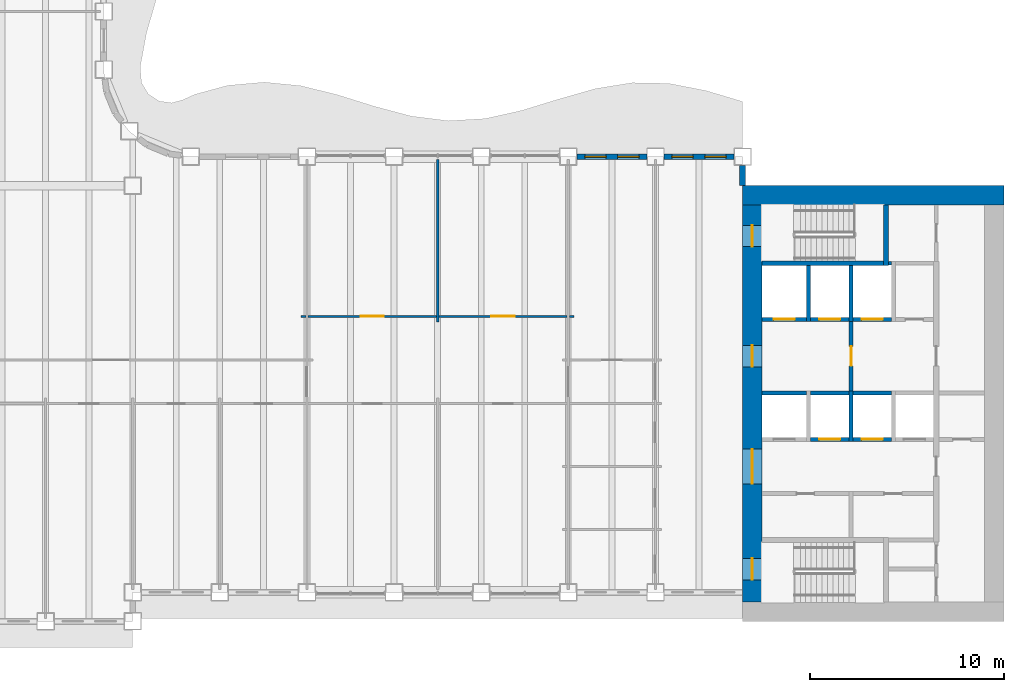
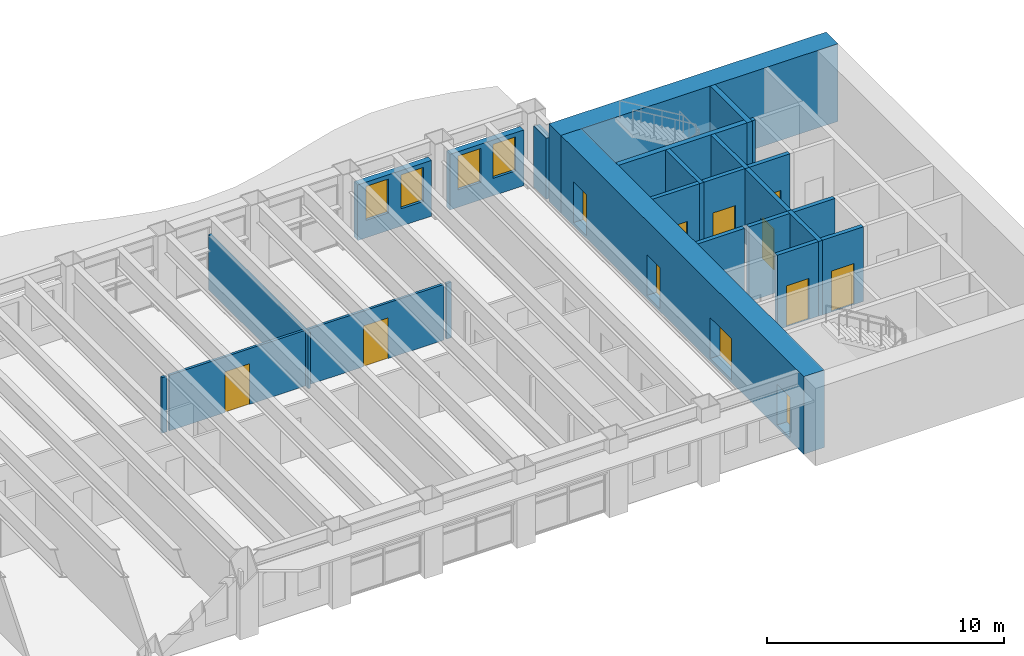
# One storey, part 8 of 17: 25 walls, 12 doors, 4 windows, 16 openings.
"""IFC4 building model written with IfcOpenShell, lengths in metres."""

from ifc_helpers import new_model, si_unit, direction, frame, frame_2d, origin, place, context, subcontext, project, spatial, rectangle, extrude, material, layer, layer_set, type_object, element, fill, save


model = new_model("IFC4")

# Units and contexts
model_context = context("Model", 3, precision=1e-05, world=origin(), true_north=direction((0.0, 1.0)))
body_context = subcontext(model_context, "Body", "Model", "MODEL_VIEW")
ifc_project = project(units=[si_unit("LENGTHUNIT", "METRE"), si_unit("AREAUNIT", "SQUARE_METRE"), si_unit("VOLUMEUNIT", "CUBIC_METRE"), si_unit("PLANEANGLEUNIT", "RADIAN"), si_unit("MASSUNIT", "GRAM", prefix="KILO")], contexts=[model_context])

# Site, building, storey
site_placement = place(None, origin())
site = spatial("IfcSite", under=ifc_project, at=site_placement, CompositionType="ELEMENT")
building_placement = place(site_placement, origin())
building = spatial("IfcBuilding", under=site, at=building_placement, Name="Sennacour Bend Tower", CompositionType="ELEMENT")
storey_placement = place(building_placement, frame((0.0, 0.0, 155.0)))
storey = spatial("IfcBuildingStorey", under=building, at=storey_placement, Name="L35", CompositionType="ELEMENT", Elevation=155.0)

# Wall
ifc_material_1 = material(Name="Concrete C60/75", Category="concrete")
ifc_layer_1 = layer(ifc_material_1, 1.0, Name="Concrete C60/75", Category="concrete")
ifc_layer_set_1 = layer_set([ifc_layer_1], Name="Concrete C60/75")
wall_type_1 = type_object("IfcWallType", Name="Core wall 1000 C60/75", PredefinedType="SHEAR", material=ifc_layer_set_1)
wall_1_placement = place(storey_placement, frame((54.0, 22.0, -0.14990234375), z_axis=(0.0, 0.0, 1.0), x_axis=(1.0, 0.0, 0.0)))
element("IfcWall", 1, at=wall_1_placement, inside=storey, type_object=wall_type_1, Name="Core A wall L35 N", PredefinedType="SHEAR", context=body_context, shape_type="SweptSolid", body=[
    extrude(rectangle(XDim=13.5, YDim=1.0, at=frame_2d((6.75, 0.0))), origin(), (0.0, 0.0, 1.0), 4.0),
])

# Wall, openings, doors
wall_2_placement = place(storey_placement, frame((54.5, 1.0, -0.14990234375), z_axis=(0.0, 0.0, 1.0), x_axis=(0.0, 1.0, 0.0)))
wall_2 = element("IfcWall", 2, at=wall_2_placement, inside=storey, type_object=wall_type_1, Name="Core A wall L35 W", PredefinedType="SHEAR", context=body_context, shape_type="SweptSolid", body=[
    extrude(rectangle(XDim=20.5, YDim=1.0, at=frame_2d((10.25, 0.0))), origin(), (0.0, 0.0, 1.0), 4.0),
])
opening_1_placement = place(wall_2_placement, frame((6.10009765625, 0.0, 0.14990234375)))
opening_1 = element("IfcOpeningElement", 3, at=opening_1_placement, cuts=wall_2, Name="Opening CD", PredefinedType="OPENING", context=body_context, shape_type="SweptSolid", body=[
    extrude(rectangle(XDim=1.800048828125, YDim=2.10009765625, at=frame_2d((0.89990234375, 1.050048828125))), frame((0.0, 0.510009765625, 0.0), z_axis=(0.0, -1.0, 0.0), x_axis=(1.0, 0.0, 0.0)), (0.0, 0.0, 1.0), 1.02001953125),
])
opening_2_placement = place(wall_2_placement, frame((12.14990234375, 0.0, 0.14990234375)))
opening_2 = element("IfcOpeningElement", 4, at=opening_2_placement, cuts=wall_2, Name="Opening FD", PredefinedType="OPENING", context=body_context, shape_type="SweptSolid", body=[
    extrude(rectangle(XDim=1.10009765625, YDim=2.10009765625, at=frame_2d((0.550048828125, 1.050048828125))), frame((0.0, 0.510009765625, 0.0), z_axis=(0.0, -1.0, 0.0), x_axis=(1.0, 0.0, 0.0)), (0.0, 0.0, 1.0), 1.02001953125),
])
opening_3_placement = place(wall_2_placement, frame((1.14990234375, 0.0, 0.14990234375)))
opening_3 = element("IfcOpeningElement", 5, at=opening_3_placement, cuts=wall_2, Name="Opening SD", PredefinedType="OPENING", context=body_context, shape_type="SweptSolid", body=[
    extrude(rectangle(XDim=1.10009765625, YDim=2.10009765625, at=frame_2d((0.550048828125, 1.050048828125))), frame((0.0, 0.510009765625, 0.0), z_axis=(0.0, -1.0, 0.0), x_axis=(1.0, 0.0, 0.0)), (0.0, 0.0, 1.0), 1.02001953125),
])
opening_4_placement = place(wall_2_placement, frame((18.35009765625, 0.0, 0.14990234375)))
opening_4 = element("IfcOpeningElement", 6, at=opening_4_placement, cuts=wall_2, Name="Opening SD", PredefinedType="OPENING", context=body_context, shape_type="SweptSolid", body=[
    extrude(rectangle(XDim=1.10009765625, YDim=2.10009765625, at=frame_2d((0.550048828125, 1.050048828125))), frame((0.0, 0.510009765625, 0.0), z_axis=(0.0, -1.0, 0.0), x_axis=(1.0, 0.0, 0.0)), (0.0, 0.0, 1.0), 1.02001953125),
])
ifc_material_2 = material(Name="Painted steel", Category="steel")
door_type_1 = type_object("IfcDoorType", Name="DR-FFL-1100", OperationType="NOTDEFINED", PredefinedType="DOOR", material=ifc_material_2)
door_1_placement = place(opening_2_placement, origin())
door_1 = element("IfcDoor", 7, at=door_1_placement, inside=storey, type_object=door_type_1, Name="Door", OperationType="SINGLE_SWING_RIGHT", OverallHeight=2.10009765625, OverallWidth=1.10009765625, PredefinedType="DOOR", context=body_context, shape_type="SweptSolid", body=[
    extrude(rectangle(XDim=1.10009765625, YDim=2.10009765625, at=frame_2d((0.550048828125, 1.050048828125))), frame((0.0, 0.02490234375, 0.0), z_axis=(0.0, -1.0, 0.0), x_axis=(1.0, 0.0, 0.0)), (0.0, 0.0, 1.0), 0.050048828125),
])
fill(opening_2, door_1)
door_type_2 = type_object("IfcDoorType", Name="DR-LOBBY-1800", OperationType="NOTDEFINED", PredefinedType="DOOR", material=ifc_material_2)
door_2_placement = place(opening_1_placement, origin())
door_2 = element("IfcDoor", 8, at=door_2_placement, inside=storey, type_object=door_type_2, Name="Door", OperationType="DOUBLE_DOOR_SINGLE_SWING", OverallHeight=2.10009765625, OverallWidth=1.800048828125, PredefinedType="DOOR", context=body_context, shape_type="SweptSolid", body=[
    extrude(rectangle(XDim=1.800048828125, YDim=2.10009765625, at=frame_2d((0.89990234375, 1.050048828125))), frame((0.0, 0.02490234375, 0.0), z_axis=(0.0, -1.0, 0.0), x_axis=(1.0, 0.0, 0.0)), (0.0, 0.0, 1.0), 0.050048828125),
])
fill(opening_1, door_2)
door_type_3 = type_object("IfcDoorType", Name="DR-STAIR-1100", OperationType="NOTDEFINED", PredefinedType="DOOR", material=ifc_material_2)
door_3_placement = place(opening_3_placement, origin())
door_3 = element("IfcDoor", 9, at=door_3_placement, inside=storey, type_object=door_type_3, Name="Door", OperationType="SINGLE_SWING_LEFT", OverallHeight=2.10009765625, OverallWidth=1.10009765625, PredefinedType="DOOR", context=body_context, shape_type="SweptSolid", body=[
    extrude(rectangle(XDim=1.10009765625, YDim=2.10009765625, at=frame_2d((0.550048828125, 1.050048828125))), frame((0.0, 0.02490234375, 0.0), z_axis=(0.0, -1.0, 0.0), x_axis=(1.0, 0.0, 0.0)), (0.0, 0.0, 1.0), 0.050048828125),
])
fill(opening_3, door_3)
door_4_placement = place(opening_4_placement, origin())
door_4 = element("IfcDoor", 10, at=door_4_placement, inside=storey, type_object=door_type_3, Name="Door", OperationType="SINGLE_SWING_RIGHT", OverallHeight=2.10009765625, OverallWidth=1.10009765625, PredefinedType="DOOR", context=body_context, shape_type="SweptSolid", body=[
    extrude(rectangle(XDim=1.10009765625, YDim=2.10009765625, at=frame_2d((0.550048828125, 1.050048828125))), frame((0.0, 0.02490234375, 0.0), z_axis=(0.0, -1.0, 0.0), x_axis=(1.0, 0.0, 0.0)), (0.0, 0.0, 1.0), 0.050048828125),
])
fill(opening_4, door_4)

# Walls
ifc_material_3 = material(Name="Plasterboard partition on steel studs", Category="steel")
ifc_layer_2 = layer(ifc_material_3, 0.1201171875, Name="Plasterboard partition on steel studs", Category="steel")
ifc_layer_set_2 = layer_set([ifc_layer_2], Name="Plasterboard partition on steel studs")
wall_type_2 = type_object("IfcWallType", Name="Partition 120", PredefinedType="PARTITIONING", material=ifc_layer_set_2)
wall_3_placement = place(storey_placement, frame((38.25, 15.449951171875, 0.0), z_axis=(0.0, 0.0, 1.0), x_axis=(0.0, 1.0, 0.0)))
element("IfcWall", 11, at=wall_3_placement, inside=storey, type_object=wall_type_2, Name="P-L35-W030a", PredefinedType="PARTITIONING", context=body_context, shape_type="SweptSolid", body=[
    extrude(rectangle(XDim=8.400146484375, YDim=0.1201171875, at=frame_2d((4.2001953125, 0.0))), origin(), (0.0, 0.0, 1.0), 2.8701171875),
])
wall_4_placement = place(storey_placement, frame((31.199951171875, 15.75, 0.0), z_axis=(0.0, 0.0, 1.0), x_axis=(1.0, 0.0, 0.0)))
element("IfcWall", 12, at=wall_4_placement, inside=storey, type_object=wall_type_2, Name="P-L35-W067aa", PredefinedType="PARTITIONING", context=body_context, shape_type="SweptSolid", body=[
    extrude(rectangle(XDim=0.239990234375, YDim=0.1201171875, at=frame_2d((0.1201171875, 0.0))), origin(), (0.0, 0.0, 1.0), 2.8701171875),
])

# Wall, opening, door
wall_5_placement = place(storey_placement, frame((31.56005859375, 15.75, 0.0), z_axis=(0.0, 0.0, 1.0), x_axis=(1.0, 0.0, 0.0)))
wall_5 = element("IfcWall", 13, at=wall_5_placement, inside=storey, type_object=wall_type_2, Name="P-L35-W067ab", PredefinedType="PARTITIONING", context=body_context, shape_type="SweptSolid", body=[
    extrude(rectangle(XDim=6.6298828125, YDim=0.1201171875, at=frame_2d((3.31494140625, 0.0))), origin(), (0.0, 0.0, 1.0), 2.8701171875),
])
opening_5_placement = place(wall_5_placement, frame((2.71484375, 0.0, 0.0)))
opening_5 = element("IfcOpeningElement", 14, at=opening_5_placement, cuts=wall_5, Name="Opening OD", PredefinedType="OPENING", context=body_context, shape_type="SweptSolid", body=[
    extrude(rectangle(XDim=1.199951171875, YDim=2.10009765625, at=frame_2d((0.60009765625, 1.050048828125))), frame((0.0, 0.070068359375, 0.0), z_axis=(0.0, -1.0, 0.0), x_axis=(1.0, 0.0, 0.0)), (0.0, 0.0, 1.0), 0.14013671875),
])
ifc_material_4 = material(Name="Timber", Category="wood")
door_type_4 = type_object("IfcDoorType", Name="DR-OFFICE-1200", OperationType="NOTDEFINED", PredefinedType="DOOR", material=ifc_material_4)
door_5_placement = place(opening_5_placement, origin())
door_5 = element("IfcDoor", 15, at=door_5_placement, inside=storey, type_object=door_type_4, Name="Door", OperationType="SINGLE_SWING_LEFT", OverallHeight=2.10009765625, OverallWidth=1.199951171875, PredefinedType="DOOR", context=body_context, shape_type="SweptSolid", body=[
    extrude(rectangle(XDim=1.199951171875, YDim=2.10009765625, at=frame_2d((0.60009765625, 1.050048828125))), frame((0.0, 0.02490234375, 0.0), z_axis=(0.0, -1.0, 0.0), x_axis=(1.0, 0.0, 0.0)), (0.0, 0.0, 1.0), 0.050048828125),
])
fill(opening_5, door_5)

wall_6_placement = place(storey_placement, frame((38.31005859375, 15.75, 0.0), z_axis=(0.0, 0.0, 1.0), x_axis=(1.0, 0.0, 0.0)))
wall_6 = element("IfcWall", 16, at=wall_6_placement, inside=storey, type_object=wall_type_2, Name="P-L35-W067ac", PredefinedType="PARTITIONING", context=body_context, shape_type="SweptSolid", body=[
    extrude(rectangle(XDim=6.6298828125, YDim=0.1201171875, at=frame_2d((3.31494140625, 0.0))), origin(), (0.0, 0.0, 1.0), 2.8701171875),
])
opening_6_placement = place(wall_6_placement, frame((2.71484375, 0.0, 0.0)))
opening_6 = element("IfcOpeningElement", 17, at=opening_6_placement, cuts=wall_6, Name="Opening OD", PredefinedType="OPENING", context=body_context, shape_type="SweptSolid", body=[
    extrude(rectangle(XDim=1.199951171875, YDim=2.10009765625, at=frame_2d((0.60009765625, 1.050048828125))), frame((0.0, 0.070068359375, 0.0), z_axis=(0.0, -1.0, 0.0), x_axis=(1.0, 0.0, 0.0)), (0.0, 0.0, 1.0), 0.14013671875),
])
door_6_placement = place(opening_6_placement, origin())
door_6 = element("IfcDoor", 18, at=door_6_placement, inside=storey, type_object=door_type_4, Name="Door", OperationType="SINGLE_SWING_LEFT", OverallHeight=2.10009765625, OverallWidth=1.199951171875, PredefinedType="DOOR", context=body_context, shape_type="SweptSolid", body=[
    extrude(rectangle(XDim=1.199951171875, YDim=2.10009765625, at=frame_2d((0.60009765625, 1.050048828125))), frame((0.0, 0.02490234375, 0.0), z_axis=(0.0, -1.0, 0.0), x_axis=(1.0, 0.0, 0.0)), (0.0, 0.0, 1.0), 0.050048828125),
])
fill(opening_6, door_6)

# Wall
wall_7_placement = place(storey_placement, frame((45.06005859375, 15.75, 0.0), z_axis=(0.0, 0.0, 1.0), x_axis=(1.0, 0.0, 0.0)))
element("IfcWall", 19, at=wall_7_placement, inside=storey, type_object=wall_type_2, Name="P-L35-W067ad", PredefinedType="PARTITIONING", context=body_context, shape_type="SweptSolid", body=[
    extrude(rectangle(XDim=0.239990234375, YDim=0.1201171875, at=frame_2d((0.1201171875, 0.0))), origin(), (0.0, 0.0, 1.0), 2.8701171875),
])

# Wall, opening, door
ifc_material_5 = material(Name="Fire-rated plasterboard partition on steel studs", Category="steel")
ifc_layer_3 = layer(ifc_material_5, 0.199951171875, Name="Fire-rated plasterboard partition on steel studs", Category="steel")
ifc_layer_set_3 = layer_set([ifc_layer_3], Name="Fire-rated plasterboard partition on steel studs")
wall_type_3 = type_object("IfcWallType", Name="Rated partition 200 EI 90", PredefinedType="PARTITIONING", material=ifc_layer_set_3)
wall_8_placement = place(storey_placement, frame((59.60009765625, 11.89990234375, 0.0), z_axis=(0.0, 0.0, 1.0), x_axis=(0.0, 1.0, 0.0)))
wall_8 = element("IfcWall", 20, at=wall_8_placement, inside=storey, type_object=wall_type_3, Name="P-L35-W038", PredefinedType="PARTITIONING", context=body_context, shape_type="SweptSolid", body=[
    extrude(rectangle(XDim=3.60009765625, YDim=0.199951171875, at=frame_2d((1.800048828125, 0.0))), origin(), (0.0, 0.0, 1.0), 3.85009765625),
])
opening_7_placement = place(wall_8_placement, frame((1.300048828125, 0.0, 0.0)))
opening_7 = element("IfcOpeningElement", 21, at=opening_7_placement, cuts=wall_8, Name="Opening FD2", PredefinedType="OPENING", context=body_context, shape_type="SweptSolid", body=[
    extrude(rectangle(XDim=1.0, YDim=2.10009765625, at=frame_2d((0.5, 1.050048828125))), frame((0.0, 0.10986328125, 0.0), z_axis=(0.0, -1.0, 0.0), x_axis=(1.0, 0.0, 0.0)), (0.0, 0.0, 1.0), 0.219970703125),
])
door_type_5 = type_object("IfcDoorType", Name="DR-FFL-1000", OperationType="NOTDEFINED", PredefinedType="DOOR", material=ifc_material_2)
door_7_placement = place(opening_7_placement, origin())
door_7 = element("IfcDoor", 22, at=door_7_placement, inside=storey, type_object=door_type_5, Name="Door", OperationType="SINGLE_SWING_LEFT", OverallHeight=2.10009765625, OverallWidth=1.0, PredefinedType="DOOR", context=body_context, shape_type="SweptSolid", body=[
    extrude(rectangle(XDim=1.0, YDim=2.10009765625, at=frame_2d((0.5, 1.050048828125))), frame((0.0, 0.02490234375, 0.0), z_axis=(0.0, -1.0, 0.0), x_axis=(1.0, 0.0, 0.0)), (0.0, 0.0, 1.0), 0.050048828125),
])
fill(opening_7, door_7)

# Wall
ifc_material_6 = material(Name="Warm limestone cladding", Category="masonry")
ifc_layer_4 = layer(ifc_material_6, 0.050048828125, Name="Warm limestone cladding", Category="masonry")
ifc_material_7 = material(Name="Precast concrete C40/50", Category="concrete")
ifc_layer_5 = layer(ifc_material_7, 0.25, Name="Precast concrete C40/50", Category="concrete")
ifc_layer_set_4 = layer_set([ifc_layer_4, ifc_layer_5], Name="Precast concrete C40/50 with limestone cladding")
wall_type_4 = type_object("IfcWallType", Name="STONE-CLAD PRECAST SPANDREL 300", PredefinedType="STANDARD", material=ifc_layer_set_4)
wall_9_placement = place(storey_placement, frame((54.0, 22.5, 0.0), z_axis=(0.0, 0.0, 1.0), x_axis=(0.0, 1.0, 0.0)))
element("IfcWall", 23, at=wall_9_placement, inside=storey, type_object=wall_type_4, Name="Stone spandrel and pier wall L35 07.00", PredefinedType="STANDARD", context=body_context, shape_type="SweptSolid", body=[
    extrude(rectangle(XDim=1.050048828125, YDim=0.300048828125, at=frame_2d((0.52490234375, 0.0))), origin(), (0.0, 0.0, 1.0), 3.14892578125),
])

# Wall, openings, windows
wall_10_placement = place(storey_placement, frame((53.550048828125, 24.0, 0.0), z_axis=(0.0, 0.0, 1.0), x_axis=(-1.0, 0.0, 0.0)))
wall_10 = element("IfcWall", 24, at=wall_10_placement, inside=storey, type_object=wall_type_4, Name="Stone spandrel and pier wall L35 08.00", PredefinedType="STANDARD", context=body_context, shape_type="SweptSolid", body=[
    extrude(rectangle(XDim=3.60009765625, YDim=0.300048828125, at=frame_2d((1.800048828125, 0.0))), origin(), (0.0, 0.0, 1.0), 2.8701171875),
])
opening_8_placement = place(wall_10_placement, frame((0.39990234375, 0.0, 0.89990234375)))
opening_8 = element("IfcOpeningElement", 25, at=opening_8_placement, cuts=wall_10, Name="Opening W17", PredefinedType="OPENING", context=body_context, shape_type="SweptSolid", body=[
    extrude(rectangle(XDim=1.10009765625, YDim=1.75, at=frame_2d((0.550048828125, 0.875))), frame((0.0, 0.16015625, 0.0), z_axis=(0.0, -1.0, 0.0), x_axis=(1.0, 0.0, 0.0)), (0.0, 0.0, 1.0), 0.320068359375),
])
opening_9_placement = place(wall_10_placement, frame((2.10009765625, 0.0, 0.89990234375)))
opening_9 = element("IfcOpeningElement", 26, at=opening_9_placement, cuts=wall_10, Name="Opening W17", PredefinedType="OPENING", context=body_context, shape_type="SweptSolid", body=[
    extrude(rectangle(XDim=1.10009765625, YDim=1.75, at=frame_2d((0.550048828125, 0.875))), frame((0.0, 0.16015625, 0.0), z_axis=(0.0, -1.0, 0.0), x_axis=(1.0, 0.0, 0.0)), (0.0, 0.0, 1.0), 0.320068359375),
])
ifc_material_8 = material(Name="Clear low-emissivity glass", Category="glass")
window_type = type_object("IfcWindowType", Name="WIN-RIBBON-1100x1750", PartitioningType="SINGLE_PANEL", PredefinedType="WINDOW", material=ifc_material_8)
window_1_placement = place(opening_8_placement, origin())
window_1 = element("IfcWindow", 27, at=window_1_placement, inside=storey, type_object=window_type, Name="Ribbon window L35 08.00.0", OverallHeight=1.75, OverallWidth=1.10009765625, PartitioningType="SINGLE_PANEL", PredefinedType="WINDOW", context=body_context, shape_type="SweptSolid", body=[
    extrude(rectangle(XDim=1.10009765625, YDim=1.75, at=frame_2d((0.550048828125, 0.875))), frame((0.0, 0.030029296875, 0.0), z_axis=(0.0, -1.0, 0.0), x_axis=(1.0, 0.0, 0.0)), (0.0, 0.0, 1.0), 0.06005859375),
])
fill(opening_8, window_1)
window_2_placement = place(opening_9_placement, origin())
window_2 = element("IfcWindow", 28, at=window_2_placement, inside=storey, type_object=window_type, Name="Ribbon window L35 08.00.1", OverallHeight=1.75, OverallWidth=1.10009765625, PartitioningType="SINGLE_PANEL", PredefinedType="WINDOW", context=body_context, shape_type="SweptSolid", body=[
    extrude(rectangle(XDim=1.10009765625, YDim=1.75, at=frame_2d((0.550048828125, 0.875))), frame((0.0, 0.030029296875, 0.0), z_axis=(0.0, -1.0, 0.0), x_axis=(1.0, 0.0, 0.0)), (0.0, 0.0, 1.0), 0.06005859375),
])
fill(opening_9, window_2)

wall_11_placement = place(storey_placement, frame((49.050048828125, 24.0, 0.0), z_axis=(0.0, 0.0, 1.0), x_axis=(-1.0, 0.0, 0.0)))
wall_11 = element("IfcWall", 29, at=wall_11_placement, inside=storey, type_object=wall_type_4, Name="Stone spandrel and pier wall L35 08.01", PredefinedType="STANDARD", context=body_context, shape_type="SweptSolid", body=[
    extrude(rectangle(XDim=3.60009765625, YDim=0.300048828125, at=frame_2d((1.800048828125, 0.0))), origin(), (0.0, 0.0, 1.0), 2.8701171875),
])
opening_10_placement = place(wall_11_placement, frame((0.39990234375, 0.0, 0.89990234375)))
opening_10 = element("IfcOpeningElement", 30, at=opening_10_placement, cuts=wall_11, Name="Opening W17", PredefinedType="OPENING", context=body_context, shape_type="SweptSolid", body=[
    extrude(rectangle(XDim=1.10009765625, YDim=1.75, at=frame_2d((0.550048828125, 0.875))), frame((0.0, 0.16015625, 0.0), z_axis=(0.0, -1.0, 0.0), x_axis=(1.0, 0.0, 0.0)), (0.0, 0.0, 1.0), 0.320068359375),
])
opening_11_placement = place(wall_11_placement, frame((2.10009765625, 0.0, 0.89990234375)))
opening_11 = element("IfcOpeningElement", 31, at=opening_11_placement, cuts=wall_11, Name="Opening W17", PredefinedType="OPENING", context=body_context, shape_type="SweptSolid", body=[
    extrude(rectangle(XDim=1.10009765625, YDim=1.75, at=frame_2d((0.550048828125, 0.875))), frame((0.0, 0.16015625, 0.0), z_axis=(0.0, -1.0, 0.0), x_axis=(1.0, 0.0, 0.0)), (0.0, 0.0, 1.0), 0.320068359375),
])
window_3_placement = place(opening_10_placement, origin())
window_3 = element("IfcWindow", 32, at=window_3_placement, inside=storey, type_object=window_type, Name="Ribbon window L35 08.01.0", OverallHeight=1.75, OverallWidth=1.10009765625, PartitioningType="SINGLE_PANEL", PredefinedType="WINDOW", context=body_context, shape_type="SweptSolid", body=[
    extrude(rectangle(XDim=1.10009765625, YDim=1.75, at=frame_2d((0.550048828125, 0.875))), frame((0.0, 0.030029296875, 0.0), z_axis=(0.0, -1.0, 0.0), x_axis=(1.0, 0.0, 0.0)), (0.0, 0.0, 1.0), 0.06005859375),
])
fill(opening_10, window_3)
window_4_placement = place(opening_11_placement, origin())
window_4 = element("IfcWindow", 33, at=window_4_placement, inside=storey, type_object=window_type, Name="Ribbon window L35 08.01.1", OverallHeight=1.75, OverallWidth=1.10009765625, PartitioningType="SINGLE_PANEL", PredefinedType="WINDOW", context=body_context, shape_type="SweptSolid", body=[
    extrude(rectangle(XDim=1.10009765625, YDim=1.75, at=frame_2d((0.550048828125, 0.875))), frame((0.0, 0.030029296875, 0.0), z_axis=(0.0, -1.0, 0.0), x_axis=(1.0, 0.0, 0.0)), (0.0, 0.0, 1.0), 0.06005859375),
])
fill(opening_11, window_4)

# Walls
ifc_material_9 = material(Name="Concrete C50/60", Category="concrete")
ifc_layer_6 = layer(ifc_material_9, 0.199951171875, Name="Concrete C50/60", Category="concrete")
ifc_layer_set_5 = layer_set([ifc_layer_6], Name="Concrete C50/60")
wall_type_5 = type_object("IfcWallType", Name="Shaft wall 200", PredefinedType="SOLIDWALL", material=ifc_layer_set_5)
wall_12_placement = place(storey_placement, frame((57.39990234375, 15.5, 0.0), z_axis=(0.0, 0.0, 1.0), x_axis=(0.0, 1.0, 0.0)))
element("IfcWall", 34, at=wall_12_placement, inside=storey, type_object=wall_type_5, Name="P-L35-W035", PredefinedType="SOLIDWALL", context=body_context, shape_type="SweptSolid", body=[
    extrude(rectangle(XDim=2.875, YDim=0.199951171875, at=frame_2d((1.4375, 0.0))), origin(), (0.0, 0.0, 1.0), 3.85009765625),
])
wall_13_placement = place(storey_placement, frame((59.60009765625, 9.300048828125, 0.0), z_axis=(0.0, 0.0, 1.0), x_axis=(0.0, 1.0, 0.0)))
element("IfcWall", 35, at=wall_13_placement, inside=storey, type_object=wall_type_5, Name="P-L35-W037", PredefinedType="SOLIDWALL", context=body_context, shape_type="SweptSolid", body=[
    extrude(rectangle(XDim=2.599853515625, YDim=0.199951171875, at=frame_2d((1.2998046875, 0.0))), origin(), (0.0, 0.0, 1.0), 3.85009765625),
])
wall_14_placement = place(storey_placement, frame((59.60009765625, 15.5, 0.0), z_axis=(0.0, 0.0, 1.0), x_axis=(0.0, 1.0, 0.0)))
element("IfcWall", 36, at=wall_14_placement, inside=storey, type_object=wall_type_5, Name="P-L35-W039", PredefinedType="SOLIDWALL", context=body_context, shape_type="SweptSolid", body=[
    extrude(rectangle(XDim=2.875, YDim=0.199951171875, at=frame_2d((1.4375, 0.0))), origin(), (0.0, 0.0, 1.0), 3.85009765625),
])

# Wall, opening, door
wall_15_placement = place(storey_placement, frame((57.5, 9.39990234375, 0.0), z_axis=(0.0, 0.0, 1.0), x_axis=(1.0, 0.0, 0.0)))
wall_15 = element("IfcWall", 37, at=wall_15_placement, inside=storey, type_object=wall_type_5, Name="P-L35-W058b", PredefinedType="SOLIDWALL", context=body_context, shape_type="SweptSolid", body=[
    extrude(rectangle(XDim=2.0, YDim=0.199951171875, at=frame_2d((1.0, 0.0))), origin(), (0.0, 0.0, 1.0), 3.85009765625),
])
opening_12_placement = place(wall_15_placement, frame((0.449951171875, 0.0, 0.011962890625)))
opening_12 = element("IfcOpeningElement", 38, at=opening_12_placement, cuts=wall_15, Name="Opening LD", PredefinedType="OPENING", context=body_context, shape_type="SweptSolid", body=[
    extrude(rectangle(XDim=1.10009765625, YDim=2.10009765625, at=frame_2d((0.550048828125, 1.050048828125))), frame((0.0, 0.10986328125, 0.0), z_axis=(0.0, -1.0, 0.0), x_axis=(1.0, 0.0, 0.0)), (0.0, 0.0, 1.0), 0.219970703125),
])
ifc_material_10 = material(Name="Stainless steel", Category="steel")
door_type_6 = type_object("IfcDoorType", Name="DR-LANDING-1100", OperationType="NOTDEFINED", PredefinedType="DOOR", material=ifc_material_10)
door_8_placement = place(opening_12_placement, origin())
door_8 = element("IfcDoor", 39, at=door_8_placement, inside=storey, type_object=door_type_6, Name="Lift landing door HA2", OperationType="SLIDING_TO_RIGHT", OverallHeight=2.10009765625, OverallWidth=1.10009765625, PredefinedType="DOOR", context=body_context, shape_type="SweptSolid", body=[
    extrude(rectangle(XDim=1.10009765625, YDim=2.10009765625, at=frame_2d((0.550048828125, 1.050048828125))), frame((0.0, 0.02490234375, 0.0), z_axis=(0.0, -1.0, 0.0), x_axis=(1.0, 0.0, 0.0)), (0.0, 0.0, 1.0), 0.050048828125),
])
fill(opening_12, door_8)

wall_16_placement = place(storey_placement, frame((59.699951171875, 9.39990234375, 0.0), z_axis=(0.0, 0.0, 1.0), x_axis=(1.0, 0.0, 0.0)))
wall_16 = element("IfcWall", 40, at=wall_16_placement, inside=storey, type_object=wall_type_5, Name="P-L35-W058c", PredefinedType="SOLIDWALL", context=body_context, shape_type="SweptSolid", body=[
    extrude(rectangle(XDim=2.0, YDim=0.199951171875, at=frame_2d((1.0, 0.0))), origin(), (0.0, 0.0, 1.0), 3.85009765625),
])
opening_13_placement = place(wall_16_placement, frame((0.449951171875, 0.0, 0.011962890625)))
opening_13 = element("IfcOpeningElement", 41, at=opening_13_placement, cuts=wall_16, Name="Opening LD", PredefinedType="OPENING", context=body_context, shape_type="SweptSolid", body=[
    extrude(rectangle(XDim=1.10009765625, YDim=2.10009765625, at=frame_2d((0.550048828125, 1.050048828125))), frame((0.0, 0.10986328125, 0.0), z_axis=(0.0, -1.0, 0.0), x_axis=(1.0, 0.0, 0.0)), (0.0, 0.0, 1.0), 0.219970703125),
])
door_9_placement = place(opening_13_placement, origin())
door_9 = element("IfcDoor", 42, at=door_9_placement, inside=storey, type_object=door_type_6, Name="Lift landing door HA3", OperationType="SLIDING_TO_LEFT", OverallHeight=2.10009765625, OverallWidth=1.10009765625, PredefinedType="DOOR", context=body_context, shape_type="SweptSolid", body=[
    extrude(rectangle(XDim=1.10009765625, YDim=2.10009765625, at=frame_2d((0.550048828125, 1.050048828125))), frame((0.0, 0.02490234375, 0.0), z_axis=(0.0, -1.0, 0.0), x_axis=(1.0, 0.0, 0.0)), (0.0, 0.0, 1.0), 0.050048828125),
])
fill(opening_13, door_9)

# Walls
wall_17_placement = place(storey_placement, frame((55.0, 11.800048828125, 0.0), z_axis=(0.0, 0.0, 1.0), x_axis=(1.0, 0.0, 0.0)))
element("IfcWall", 43, at=wall_17_placement, inside=storey, type_object=wall_type_5, Name="P-L35-W061a", PredefinedType="SOLIDWALL", context=body_context, shape_type="SweptSolid", body=[
    extrude(rectangle(XDim=2.300048828125, YDim=0.199951171875, at=frame_2d((1.14990234375, 0.0))), origin(), (0.0, 0.0, 1.0), 3.85009765625),
])
for number, where, z_axis, x_axis, name in (
    (44, (57.5, 11.800048828125, 0.0), (0.0, 0.0, 1.0), (1.0, 0.0, 0.0), "P-L35-W061b"),
    (45, (59.699951171875, 11.800048828125, 0.0), (0.0, 0.0, 1.0), (1.0, 0.0, 0.0), "P-L35-W061c"),
):
    element("IfcWall", number, at=place(storey_placement, frame(where, z_axis=z_axis, x_axis=x_axis)), inside=storey, type_object=wall_type_5, Name=name, PredefinedType="SOLIDWALL", context=body_context, shape_type="SweptSolid", body=[
        extrude(rectangle(XDim=2.0, YDim=0.199951171875, at=frame_2d((1.0, 0.0))), origin(), (0.0, 0.0, 1.0), 3.85009765625),
    ])

# Wall, opening, door
wall_18_placement = place(storey_placement, frame((55.0, 15.60009765625, 0.0), z_axis=(0.0, 0.0, 1.0), x_axis=(1.0, 0.0, 0.0)))
wall_18 = element("IfcWall", 46, at=wall_18_placement, inside=storey, type_object=wall_type_5, Name="P-L35-W065a", PredefinedType="SOLIDWALL", context=body_context, shape_type="SweptSolid", body=[
    extrude(rectangle(XDim=2.300048828125, YDim=0.199951171875, at=frame_2d((1.14990234375, 0.0))), origin(), (0.0, 0.0, 1.0), 3.85009765625),
])
opening_14_placement = place(wall_18_placement, frame((0.60009765625, 0.0, 0.011962890625)))
opening_14 = element("IfcOpeningElement", 47, at=opening_14_placement, cuts=wall_18, Name="Opening FLD", PredefinedType="OPENING", context=body_context, shape_type="SweptSolid", body=[
    extrude(rectangle(XDim=1.10009765625, YDim=2.10009765625, at=frame_2d((0.550048828125, 1.050048828125))), frame((0.0, 0.10986328125, 0.0), z_axis=(0.0, -1.0, 0.0), x_axis=(1.0, 0.0, 0.0)), (0.0, 0.0, 1.0), 0.219970703125),
])
door_type_7 = type_object("IfcDoorType", Name="DR-FF-LANDING-1100", OperationType="NOTDEFINED", PredefinedType="DOOR", material=ifc_material_10)
door_10_placement = place(opening_14_placement, origin())
door_10 = element("IfcDoor", 48, at=door_10_placement, inside=storey, type_object=door_type_7, Name="Fire service lift landing door FA1", OperationType="SLIDING_TO_LEFT", OverallHeight=2.10009765625, OverallWidth=1.10009765625, PredefinedType="DOOR", context=body_context, shape_type="SweptSolid", body=[
    extrude(rectangle(XDim=1.10009765625, YDim=2.10009765625, at=frame_2d((0.550048828125, 1.050048828125))), frame((0.0, 0.02490234375, 0.0), z_axis=(0.0, -1.0, 0.0), x_axis=(1.0, 0.0, 0.0)), (0.0, 0.0, 1.0), 0.050048828125),
])
fill(opening_14, door_10)

wall_19_placement = place(storey_placement, frame((57.5, 15.60009765625, 0.0), z_axis=(0.0, 0.0, 1.0), x_axis=(1.0, 0.0, 0.0)))
wall_19 = element("IfcWall", 49, at=wall_19_placement, inside=storey, type_object=wall_type_5, Name="P-L35-W065b", PredefinedType="SOLIDWALL", context=body_context, shape_type="SweptSolid", body=[
    extrude(rectangle(XDim=2.0, YDim=0.199951171875, at=frame_2d((1.0, 0.0))), origin(), (0.0, 0.0, 1.0), 3.85009765625),
])
opening_15_placement = place(wall_19_placement, frame((0.449951171875, 0.0, 0.011962890625)))
opening_15 = element("IfcOpeningElement", 50, at=opening_15_placement, cuts=wall_19, Name="Opening FLD", PredefinedType="OPENING", context=body_context, shape_type="SweptSolid", body=[
    extrude(rectangle(XDim=1.10009765625, YDim=2.10009765625, at=frame_2d((0.550048828125, 1.050048828125))), frame((0.0, 0.10986328125, 0.0), z_axis=(0.0, -1.0, 0.0), x_axis=(1.0, 0.0, 0.0)), (0.0, 0.0, 1.0), 0.219970703125),
])
door_11_placement = place(opening_15_placement, origin())
door_11 = element("IfcDoor", 51, at=door_11_placement, inside=storey, type_object=door_type_7, Name="Fire service lift landing door FA2", OperationType="SLIDING_TO_RIGHT", OverallHeight=2.10009765625, OverallWidth=1.10009765625, PredefinedType="DOOR", context=body_context, shape_type="SweptSolid", body=[
    extrude(rectangle(XDim=1.10009765625, YDim=2.10009765625, at=frame_2d((0.550048828125, 1.050048828125))), frame((0.0, 0.02490234375, 0.0), z_axis=(0.0, -1.0, 0.0), x_axis=(1.0, 0.0, 0.0)), (0.0, 0.0, 1.0), 0.050048828125),
])
fill(opening_15, door_11)

wall_20_placement = place(storey_placement, frame((59.699951171875, 15.60009765625, 0.0), z_axis=(0.0, 0.0, 1.0), x_axis=(1.0, 0.0, 0.0)))
wall_20 = element("IfcWall", 52, at=wall_20_placement, inside=storey, type_object=wall_type_5, Name="P-L35-W065c", PredefinedType="SOLIDWALL", context=body_context, shape_type="SweptSolid", body=[
    extrude(rectangle(XDim=2.0, YDim=0.199951171875, at=frame_2d((1.0, 0.0))), origin(), (0.0, 0.0, 1.0), 3.85009765625),
])
opening_16_placement = place(wall_20_placement, frame((0.449951171875, 0.0, 0.011962890625)))
opening_16 = element("IfcOpeningElement", 53, at=opening_16_placement, cuts=wall_20, Name="Opening LD", PredefinedType="OPENING", context=body_context, shape_type="SweptSolid", body=[
    extrude(rectangle(XDim=1.10009765625, YDim=2.10009765625, at=frame_2d((0.550048828125, 1.050048828125))), frame((0.0, 0.10986328125, 0.0), z_axis=(0.0, -1.0, 0.0), x_axis=(1.0, 0.0, 0.0)), (0.0, 0.0, 1.0), 0.219970703125),
])
door_12_placement = place(opening_16_placement, origin())
door_12 = element("IfcDoor", 54, at=door_12_placement, inside=storey, type_object=door_type_6, Name="Lift landing door HA5", OperationType="SLIDING_TO_LEFT", OverallHeight=2.10009765625, OverallWidth=1.10009765625, PredefinedType="DOOR", context=body_context, shape_type="SweptSolid", body=[
    extrude(rectangle(XDim=1.10009765625, YDim=2.10009765625, at=frame_2d((0.550048828125, 1.050048828125))), frame((0.0, 0.02490234375, 0.0), z_axis=(0.0, -1.0, 0.0), x_axis=(1.0, 0.0, 0.0)), (0.0, 0.0, 1.0), 0.050048828125),
])
fill(opening_16, door_12)

# Walls
wall_21_placement = place(storey_placement, frame((61.52490234375, 18.5, 0.0), z_axis=(0.0, 0.0, 1.0), x_axis=(1.0, 0.0, 0.0)))
element("IfcWall", 55, at=wall_21_placement, inside=storey, type_object=wall_type_5, Name="P-L35-W069", PredefinedType="SOLIDWALL", context=body_context, shape_type="SweptSolid", body=[
    extrude(rectangle(XDim=0.175048828125, YDim=0.199951171875, at=frame_2d((0.08740234375, 0.0))), origin(), (0.0, 0.0, 1.0), 3.85009765625),
])
ifc_layer_7 = layer(ifc_material_1, 0.25, Name="Concrete C60/75", Category="concrete")
ifc_layer_set_6 = layer_set([ifc_layer_7], Name="Concrete C60/75")
wall_type_6 = type_object("IfcWallType", Name="Stair wall 250", PredefinedType="SHEAR", material=ifc_layer_set_6)
wall_22_placement = place(storey_placement, frame((61.39990234375, 18.375, 0.0), z_axis=(0.0, 0.0, 1.0), x_axis=(0.0, 1.0, 0.0)))
element("IfcWall", 56, at=wall_22_placement, inside=storey, type_object=wall_type_6, Name="P-L35-W041", PredefinedType="SHEAR", context=body_context, shape_type="SweptSolid", body=[
    extrude(rectangle(XDim=3.125, YDim=0.25, at=frame_2d((1.5625, 0.0))), origin(), (0.0, 0.0, 1.0), 3.85009765625),
])
wall_23_placement = place(storey_placement, frame((55.0, 18.5, 0.0), z_axis=(0.0, 0.0, 1.0), x_axis=(1.0, 0.0, 0.0)))
element("IfcWall", 57, at=wall_23_placement, inside=storey, type_object=wall_type_6, Name="P-L35-W068", PredefinedType="SHEAR", context=body_context, shape_type="SweptSolid", body=[
    extrude(rectangle(XDim=6.27490234375, YDim=0.25, at=frame_2d((3.137451171875, 0.0))), origin(), (0.0, 0.0, 1.0), 3.85009765625),
])

save(model, "model.ifc")
